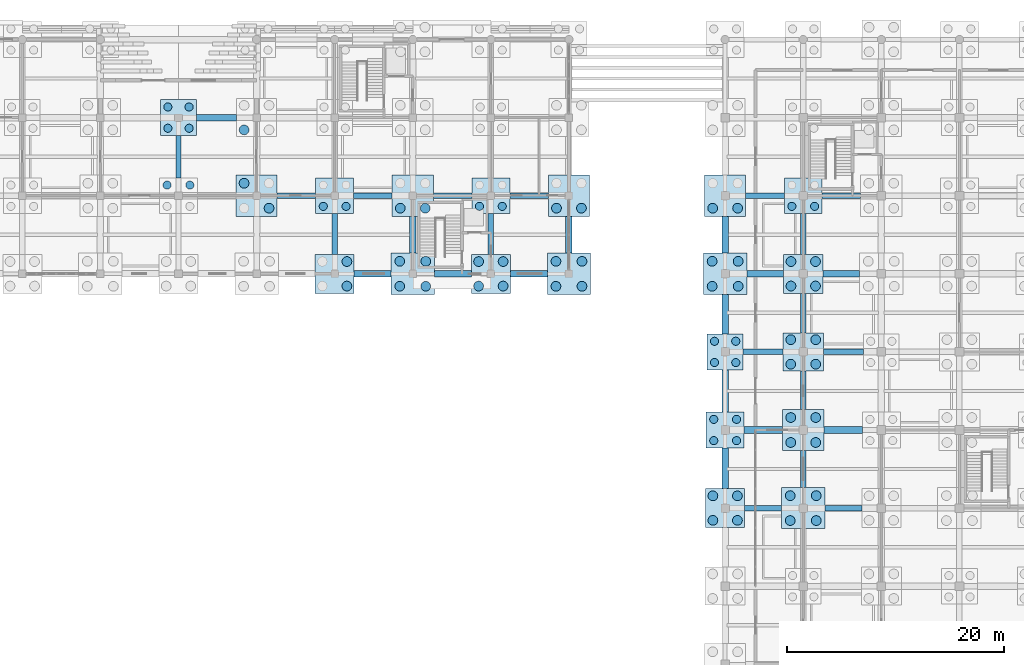
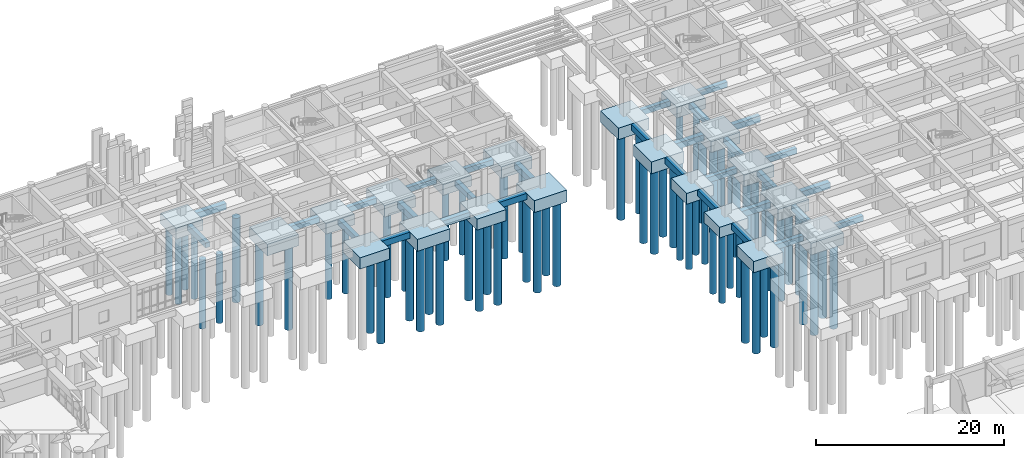
# One storey, part 10 of 79: 67 piles, 51 footings.
"""IFC4 building model written with IfcOpenShell, lengths in metres."""

import ifcopenshell
import ifcopenshell.guid

model = None  # the IFC model being written
_history = None  # IfcOwnerHistory: only IFC2X3 demands one
_inside = {}  # id of a spatial element -> (the spatial element, [elements in it])
_under = {}  # id of a project, library or spatial element -> (it, [spatial elements below it])
_declared = {}  # id of a project -> (the project, [libraries it declares])
_typed = {}  # id of a type object -> (the type object, [elements of that type])
_made_of = {}  # id of a material, layer set ... -> (it, [elements and type objects made of it])


def new_model(schema):
    """Start an empty IFC model of exactly this schema.

    Asked for "IFC4X3", IfcOpenShell would pick the latest addendum, in which some entities
    have other attributes; the version numbers below select the first issue.
    IFC2X3 requires an IfcOwnerHistory on every rooted entity: one is made here for all.
    """
    global model, _history
    if schema == "IFC4X3":
        model = ifcopenshell.file(schema_version=(4, 3, 0, 0))
    else:
        model = ifcopenshell.file(schema=schema)
    _inside.clear()
    _under.clear()
    _declared.clear()
    _typed.clear()
    _made_of.clear()
    _history = None
    if model.schema == "IFC2X3":
        org = make("IfcOrganization", Name="unknown")
        user = make(
            "IfcPersonAndOrganization",
            ThePerson=make("IfcPerson", FamilyName="unknown"),
            TheOrganization=org,
        )
        app = make(
            "IfcApplication",
            ApplicationDeveloper=org,
            Version="unknown",
            ApplicationFullName="unknown",
            ApplicationIdentifier="unknown",
        )
        _history = make(
            "IfcOwnerHistory",
            OwningUser=user,
            OwningApplication=app,
            ChangeAction="ADDED",
            CreationDate=0,
        )
    return model


def make(cls, **values):
    """One entity of the class cls with the attributes given. An attribute that is None is left unset."""
    return model.create_entity(
        cls, **{name: value for name, value in values.items() if value is not None}
    )


def rooted(cls, **values):
    """An entity with a GlobalId (a new one), such as an element, a storey or a relation."""
    return make(cls, GlobalId=ifcopenshell.guid.new(), OwnerHistory=_history, **values)


def si_unit(unit_type, name, prefix=None):
    """IfcSIUnit, for example si_unit("LENGTHUNIT", "METRE", prefix="MILLI")."""
    return make("IfcSIUnit", UnitType=unit_type, Prefix=prefix, Name=name)


def assignment(units):
    """IfcUnitAssignment: the units of a project."""
    return None if units is None else make("IfcUnitAssignment", Units=units)


def point(xyz):
    """IfcCartesianPoint."""
    return None if xyz is None else make("IfcCartesianPoint", Coordinates=xyz)


def direction(xyz):
    """IfcDirection."""
    return None if xyz is None else make("IfcDirection", DirectionRatios=xyz)


def frame(location, z_axis=None, x_axis=None):
    """IfcAxis2Placement3D, a coordinate frame: its origin and axes. An axis left out is left unset."""
    return make(
        "IfcAxis2Placement3D",
        Location=point(location),
        Axis=direction(z_axis),
        RefDirection=direction(x_axis),
    )


def frame_2d(location, x_axis=None):
    """IfcAxis2Placement2D, a coordinate frame in the plane: its origin and x axis."""
    return make(
        "IfcAxis2Placement2D", Location=point(location), RefDirection=direction(x_axis)
    )


def origin():
    """The frame at (0, 0, 0) with its axes left unset."""
    return frame((0.0, 0.0, 0.0))


def origin_2d():
    """The frame at (0, 0) in the plane with its x axis left unset."""
    return frame_2d((0.0, 0.0))


def place(relative_to, where):
    """IfcLocalPlacement: puts the frame where relative to a parent placement (None: the world)."""
    return make(
        "IfcLocalPlacement", PlacementRelTo=relative_to, RelativePlacement=where
    )


def context(
    kind, dimensions, precision=None, world=None, true_north=None, identifier=None
):
    """IfcGeometricRepresentationContext, for example the 3D "Model" context."""
    return make(
        "IfcGeometricRepresentationContext",
        ContextIdentifier=identifier,
        ContextType=kind,
        CoordinateSpaceDimension=dimensions,
        Precision=precision,
        WorldCoordinateSystem=world,
        TrueNorth=true_north,
    )


def subcontext(parent, identifier, kind, view, scale=None):
    """IfcGeometricRepresentationSubContext, for example "Body" below "Model"."""
    return make(
        "IfcGeometricRepresentationSubContext",
        ContextIdentifier=identifier,
        ContextType=kind,
        ParentContext=parent,
        TargetScale=scale,
        TargetView=view,
    )


def project(units=None, contexts=None):
    """IfcProject with its units and contexts."""
    return rooted(
        "IfcProject",
        Name="project",
        RepresentationContexts=contexts,
        UnitsInContext=assignment(units),
    )


def spatial(cls, under=None, at=None, **own):
    """A site, building, storey or space (cls), placed at a placement, below another one or the project."""
    s = rooted(cls, ObjectPlacement=at, **own)
    if under is not None:
        _under.setdefault(under.id(), (under, []))[1].append(s)
    return s


def polyline(points):
    """IfcPolyline through the points."""
    return make("IfcPolyline", Points=[point(p) for p in points])


def profile(cls, at=None, kind="AREA", **sizes):
    """A parametric profile (cls). Its sizes go by their IFC names, for example OverallWidth=200.0."""
    return make(cls, ProfileType=kind, Position=at, **sizes)


def rectangle(**sizes):
    """IfcRectangleProfileDef."""
    return profile("IfcRectangleProfileDef", **sizes)


def circle(**sizes):
    """IfcCircleProfileDef."""
    return profile("IfcCircleProfileDef", **sizes)


def outline(outer, holes=None, kind="AREA"):
    """IfcArbitraryClosedProfileDef: a profile drawn as a closed curve; with holes, ...WithVoids."""
    if holes is None:
        return make("IfcArbitraryClosedProfileDef", ProfileType=kind, OuterCurve=outer)
    return make(
        "IfcArbitraryProfileDefWithVoids",
        ProfileType=kind,
        OuterCurve=outer,
        InnerCurves=holes,
    )


def extrude(swept, where, along, depth):
    """IfcExtrudedAreaSolid: the profile swept, set in the frame where, extruded along a direction by depth."""
    return make(
        "IfcExtrudedAreaSolid",
        SweptArea=swept,
        Position=where,
        ExtrudedDirection=direction(along),
        Depth=depth,
    )


def shape(context_of_items, identifier, shape_type, items):
    """IfcShapeRepresentation: the items that make up one representation, for example the "Body"."""
    return make(
        "IfcShapeRepresentation",
        ContextOfItems=context_of_items,
        RepresentationIdentifier=identifier,
        RepresentationType=shape_type,
        Items=items,
    )


def material(Name=None, Category=None):
    """IfcMaterial."""
    return make("IfcMaterial", Name=Name, Category=Category)


def material_profile(
    of_material, cross_section, Name=None, Category=None, Priority=None
):
    """IfcMaterialProfile: a cross section and its material."""
    return make(
        "IfcMaterialProfile",
        Name=Name,
        Material=of_material,
        Profile=cross_section,
        Priority=Priority,
        Category=Category,
    )


def profile_set(profiles, Name=None, composite=None):
    """IfcMaterialProfileSet."""
    return make(
        "IfcMaterialProfileSet",
        Name=Name,
        MaterialProfiles=profiles,
        CompositeProfile=composite,
    )


def made_of(thing, what):
    """Note that an element or type object is made of a material, layer set ...; save() writes the relation."""
    if what is not None:
        _made_of.setdefault(what.id(), (what, []))[1].append(thing)
    return thing


def type_object(cls, material=None, **own):
    """A type object (cls), such as IfcWallType, which elements share."""
    return made_of(rooted(cls, **own), material)


def element(
    cls,
    number,
    at=None,
    inside=None,
    cuts=None,
    type_object=None,
    material=None,
    context=None,
    identifier="Body",
    shape_type=None,
    held_by="IfcProductDefinitionShape",
    body=None,
    shapes=None,
    **own,
):
    """One element of the class cls, such as IfcWall. Its Tag is "e" and its number.

    at: its placement. inside: the storey or other place that contains it. cuts: it is an
    opening in that element (IfcRelVoidsElement). A single representation is given by context,
    identifier, shape_type and body (its items); several are given by shapes. held_by: the class
    of the entity that holds the representations. save() writes the other relations.
    """
    e = rooted(cls, Tag="e%d" % number, ObjectPlacement=at, **own)
    if body is not None:
        shapes = [shape(context, identifier, shape_type, body)]
    if shapes is not None:
        e.Representation = make(held_by, Representations=shapes)
    if inside is not None:
        _inside.setdefault(inside.id(), (inside, []))[1].append(e)
    if cuts is not None:
        rooted(
            "IfcRelVoidsElement", RelatingBuildingElement=cuts, RelatedOpeningElement=e
        )
    if type_object is not None:
        _typed.setdefault(type_object.id(), (type_object, []))[1].append(e)
    return made_of(e, material)


def aggregate(whole, parts):
    """IfcRelAggregates: a whole, such as a stair, and the parts it consists of."""
    return rooted("IfcRelAggregates", RelatingObject=whole, RelatedObjects=parts)


def save(model, path):
    """Write the relations noted so far, then the file.

    IfcRelAggregates (storeys below a building ...), IfcRelContainedInSpatialStructure (elements
    in a storey), IfcRelDefinesByType, IfcRelAssociatesMaterial and IfcRelDeclares: one each for
    every whole, place, type object, material and project.
    """
    for whole, parts in _under.values():
        aggregate(whole, parts)
    for where, things in _inside.values():
        rooted(
            "IfcRelContainedInSpatialStructure",
            RelatedElements=things,
            RelatingStructure=where,
        )
    for kind, things in _typed.values():
        rooted("IfcRelDefinesByType", RelatedObjects=things, RelatingType=kind)
    for what, things in _made_of.values():
        rooted("IfcRelAssociatesMaterial", RelatedObjects=things, RelatingMaterial=what)
    for by, libraries in _declared.values():
        rooted("IfcRelDeclares", RelatingContext=by, RelatedDefinitions=libraries)
    model.write(path)


model = new_model("IFC4")

# Units and contexts
model_context = context("Model", 3, precision=1e-05, world=origin(), true_north=direction((0.0, 1.0)))
body_context = subcontext(model_context, "Body", "Model", "MODEL_VIEW")
ifc_project = project(units=[si_unit("LENGTHUNIT", "METRE"), si_unit("AREAUNIT", "SQUARE_METRE"), si_unit("VOLUMEUNIT", "CUBIC_METRE"), si_unit("PLANEANGLEUNIT", "RADIAN"), si_unit("MASSUNIT", "GRAM", prefix="KILO")], contexts=[model_context])

# Site, building, storey
site_placement = place(None, origin())
site = spatial("IfcSite", under=ifc_project, at=site_placement, CompositionType="ELEMENT")
building_placement = place(site_placement, origin())
building = spatial("IfcBuilding", under=site, at=building_placement, Name="Kavelor Marine Aquarium", CompositionType="ELEMENT")
storey_placement = place(building_placement, origin())
storey = spatial("IfcBuildingStorey", under=building, at=storey_placement, Name="L00", CompositionType="ELEMENT", Elevation=0.0)

# Footings
ifc_material_1 = material(Name="Concrete C40/50", Category="concrete")
footing_type_1 = type_object("IfcFootingType", Name="CAP-PC03", PredefinedType="PILE_CAP", material=ifc_material_1)
footing_1_placement = place(storey_placement, frame((0.0, 0.0, -1.89990234375)))
element("IfcFooting", 1, at=footing_1_placement, inside=storey, type_object=footing_type_1, Name="Pile Cap PC03 (13-M)", PredefinedType="PILE_CAP", context=body_context, shape_type="SweptSolid", body=[
    extrude(outline(polyline([(87.60009765625, 87.300048828125), (91.60009765625, 87.300048828125), (91.60009765625, 91.10009765625), (87.60009765625, 91.10009765625), (87.60009765625, 87.300048828125)])), origin(), (0.0, 0.0, 1.0), 1.5498046875),
])
footing_2_placement = place(storey_placement, frame((0.0, 0.0, -1.89990234375)))
element("IfcFooting", 2, at=footing_2_placement, inside=storey, type_object=footing_type_1, Name="Pile Cap PC03 (15-M)", PredefinedType="PILE_CAP", context=body_context, shape_type="SweptSolid", body=[
    extrude(outline(polyline([(102.0, 87.300048828125), (106.0, 87.300048828125), (106.0, 91.10009765625), (102.0, 91.10009765625), (102.0, 87.300048828125)])), origin(), (0.0, 0.0, 1.0), 1.5498046875),
])
footing_3_placement = place(storey_placement, frame((0.0, 0.0, -1.89990234375)))
element("IfcFooting", 3, at=footing_3_placement, inside=storey, type_object=footing_type_1, Name="Pile Cap PC03 (17-M)", PredefinedType="PILE_CAP", context=body_context, shape_type="SweptSolid", body=[
    extrude(outline(polyline([(116.39990234375, 87.300048828125), (120.39990234375, 87.300048828125), (120.39990234375, 91.10009765625), (116.39990234375, 91.10009765625), (116.39990234375, 87.300048828125)])), origin(), (0.0, 0.0, 1.0), 1.5498046875),
])
footing_4_placement = place(storey_placement, frame((0.0, 0.0, -1.89990234375)))
element("IfcFooting", 4, at=footing_4_placement, inside=storey, type_object=footing_type_1, Name="Pile Cap PC03 (18-J)", PredefinedType="PILE_CAP", context=body_context, shape_type="SweptSolid", body=[
    extrude(outline(polyline([(123.60009765625, 65.699951171875), (127.60009765625, 65.699951171875), (127.60009765625, 69.5), (123.60009765625, 69.5), (123.60009765625, 65.699951171875)])), origin(), (0.0, 0.0, 1.0), 1.5498046875),
])
ifc_material_2 = material(Name="Concrete C40/50", Category="concrete")
footing_type_2 = type_object("IfcFootingType", Name="CAP-PC04", PredefinedType="PILE_CAP", material=ifc_material_2)
footing_5_placement = place(storey_placement, frame((0.0, 0.0, -1.85009765625)))
element("IfcFooting", 5, at=footing_5_placement, inside=storey, type_object=footing_type_2, Name="Pile Cap PC04 (11-N)", PredefinedType="PILE_CAP", context=body_context, shape_type="SweptSolid", body=[
    extrude(outline(polyline([(73.300048828125, 94.5), (77.10009765625, 94.5), (77.10009765625, 98.300048828125), (73.300048828125, 98.300048828125), (73.300048828125, 94.5)])), origin(), (0.0, 0.0, 1.0), 1.5),
])
footing_6_placement = place(storey_placement, frame((0.0, 0.0, -1.85009765625)))
element("IfcFooting", 6, at=footing_6_placement, inside=storey, type_object=footing_type_2, Name="Pile Cap PC04 (13-N)", PredefinedType="PILE_CAP", context=body_context, shape_type="SweptSolid", body=[
    extrude(outline(polyline([(87.699951171875, 94.5), (91.5, 94.5), (91.5, 98.300048828125), (87.699951171875, 98.300048828125), (87.699951171875, 94.5)])), origin(), (0.0, 0.0, 1.0), 1.5),
])
footing_7_placement = place(storey_placement, frame((0.0, 0.0, -1.85009765625)))
element("IfcFooting", 7, at=footing_7_placement, inside=storey, type_object=footing_type_2, Name="Pile Cap PC04 (15-N)", PredefinedType="PILE_CAP", context=body_context, shape_type="SweptSolid", body=[
    extrude(outline(polyline([(102.10009765625, 94.5), (105.89990234375, 94.5), (105.89990234375, 98.300048828125), (102.10009765625, 98.300048828125), (102.10009765625, 94.5)])), origin(), (0.0, 0.0, 1.0), 1.5),
])
footing_8_placement = place(storey_placement, frame((0.0, 0.0, -1.85009765625)))
element("IfcFooting", 8, at=footing_8_placement, inside=storey, type_object=footing_type_2, Name="Pile Cap PC04 (17-N)", PredefinedType="PILE_CAP", context=body_context, shape_type="SweptSolid", body=[
    extrude(outline(polyline([(116.5, 94.5), (120.300048828125, 94.5), (120.300048828125, 98.300048828125), (116.5, 98.300048828125), (116.5, 94.5)])), origin(), (0.0, 0.0, 1.0), 1.5),
])
footing_9_placement = place(storey_placement, frame((0.0, 0.0, -1.85009765625)))
element("IfcFooting", 9, at=footing_9_placement, inside=storey, type_object=footing_type_2, Name="Pile Cap PC04 (18-K)", PredefinedType="PILE_CAP", context=body_context, shape_type="SweptSolid", body=[
    extrude(outline(polyline([(123.699951171875, 72.89990234375), (127.5, 72.89990234375), (127.5, 76.699951171875), (123.699951171875, 76.699951171875), (123.699951171875, 72.89990234375)])), origin(), (0.0, 0.0, 1.0), 1.5),
])
ifc_material_3 = material(Name="Concrete C40/50", Category="concrete")
footing_type_3 = type_object("IfcFootingType", Name="CAP-PC05", PredefinedType="PILE_CAP", material=ifc_material_3)
footing_10_placement = place(storey_placement, frame((0.0, 0.0, -1.85009765625)))
element("IfcFooting", 10, at=footing_10_placement, inside=storey, type_object=footing_type_3, Name="Pile Cap PC05 (18-L)", PredefinedType="PILE_CAP", context=body_context, shape_type="SweptSolid", body=[
    extrude(outline(polyline([(123.75, 80.25), (127.449951171875, 80.25), (127.449951171875, 83.75), (123.75, 83.75), (123.75, 80.25)])), origin(), (0.0, 0.0, 1.0), 1.5),
])
ifc_material_4 = material(Name="Concrete C40/50", Category="concrete")
footing_type_4 = type_object("IfcFootingType", Name="CAP-PC06", PredefinedType="PILE_CAP", material=ifc_material_4)
footing_11_placement = place(storey_placement, frame((0.0, 0.0, -1.800048828125)))
element("IfcFooting", 11, at=footing_11_placement, inside=storey, type_object=footing_type_4, Name="Pile Cap PC06 (12-M)", PredefinedType="PILE_CAP", context=body_context, shape_type="SweptSolid", body=[
    extrude(outline(polyline([(80.60009765625, 87.39990234375), (84.199951171875, 87.39990234375), (84.199951171875, 91.0), (80.60009765625, 91.0), (80.60009765625, 87.39990234375)])), origin(), (0.0, 0.0, 1.0), 1.449951171875),
])
footing_12_placement = place(storey_placement, frame((0.0, 0.0, -1.800048828125)))
element("IfcFooting", 12, at=footing_12_placement, inside=storey, type_object=footing_type_4, Name="Pile Cap PC06 (14-M)", PredefinedType="PILE_CAP", context=body_context, shape_type="SweptSolid", body=[
    extrude(outline(polyline([(95.0, 87.39990234375), (98.60009765625, 87.39990234375), (98.60009765625, 91.0), (95.0, 91.0), (95.0, 87.39990234375)])), origin(), (0.0, 0.0, 1.0), 1.449951171875),
])
footing_13_placement = place(storey_placement, frame((0.0, 0.0, -1.800048828125)))
element("IfcFooting", 13, at=footing_13_placement, inside=storey, type_object=footing_type_4, Name="Pile Cap PC06 (17-J)", PredefinedType="PILE_CAP", context=body_context, shape_type="SweptSolid", body=[
    extrude(outline(polyline([(116.60009765625, 65.800048828125), (120.199951171875, 65.800048828125), (120.199951171875, 69.39990234375), (116.60009765625, 69.39990234375), (116.60009765625, 65.800048828125)])), origin(), (0.0, 0.0, 1.0), 1.449951171875),
])
footing_14_placement = place(storey_placement, frame((0.0, 0.0, -1.800048828125)))
element("IfcFooting", 14, at=footing_14_placement, inside=storey, type_object=footing_type_4, Name="Pile Cap PC06 (18-M)", PredefinedType="PILE_CAP", context=body_context, shape_type="SweptSolid", body=[
    extrude(outline(polyline([(123.800048828125, 87.39990234375), (127.39990234375, 87.39990234375), (127.39990234375, 91.0), (123.800048828125, 91.0), (123.800048828125, 87.39990234375)])), origin(), (0.0, 0.0, 1.0), 1.449951171875),
])
ifc_material_5 = material(Name="Concrete C40/50", Category="concrete")
footing_type_5 = type_object("IfcFootingType", Name="CAP-PC07", PredefinedType="PILE_CAP", material=ifc_material_5)
footing_15_placement = place(storey_placement, frame((0.0, 0.0, -1.75)))
element("IfcFooting", 15, at=footing_15_placement, inside=storey, type_object=footing_type_5, Name="Pile Cap PC07 (12-N)", PredefinedType="PILE_CAP", context=body_context, shape_type="SweptSolid", body=[
    extrude(outline(polyline([(80.64990234375, 94.75), (84.14990234375, 94.75), (84.14990234375, 98.050048828125), (80.64990234375, 98.050048828125), (80.64990234375, 94.75)])), origin(), (0.0, 0.0, 1.0), 1.39990234375),
])
footing_16_placement = place(storey_placement, frame((0.0, 0.0, -1.75)))
element("IfcFooting", 16, at=footing_16_placement, inside=storey, type_object=footing_type_5, Name="Pile Cap PC07 (14-N)", PredefinedType="PILE_CAP", context=body_context, shape_type="SweptSolid", body=[
    extrude(outline(polyline([(95.050048828125, 94.75), (98.550048828125, 94.75), (98.550048828125, 98.050048828125), (95.050048828125, 98.050048828125), (95.050048828125, 94.75)])), origin(), (0.0, 0.0, 1.0), 1.39990234375),
])
footing_17_placement = place(storey_placement, frame((0.0, 0.0, -1.75)))
element("IfcFooting", 17, at=footing_17_placement, inside=storey, type_object=footing_type_5, Name="Pile Cap PC07 (17-K)", PredefinedType="PILE_CAP", context=body_context, shape_type="SweptSolid", body=[
    extrude(outline(polyline([(116.64990234375, 73.14990234375), (120.14990234375, 73.14990234375), (120.14990234375, 76.449951171875), (116.64990234375, 76.449951171875), (116.64990234375, 73.14990234375)])), origin(), (0.0, 0.0, 1.0), 1.39990234375),
])
footing_18_placement = place(storey_placement, frame((0.0, 0.0, -1.75)))
element("IfcFooting", 18, at=footing_18_placement, inside=storey, type_object=footing_type_5, Name="Pile Cap PC07 (18-N)", PredefinedType="PILE_CAP", context=body_context, shape_type="SweptSolid", body=[
    extrude(outline(polyline([(123.85009765625, 94.75), (127.35009765625, 94.75), (127.35009765625, 98.050048828125), (123.85009765625, 98.050048828125), (123.85009765625, 94.75)])), origin(), (0.0, 0.0, 1.0), 1.39990234375),
])
ifc_material_6 = material(Name="Concrete C40/50", Category="concrete")
footing_type_6 = type_object("IfcFootingType", Name="CAP-PC08", PredefinedType="PILE_CAP", material=ifc_material_6)
footing_19_placement = place(storey_placement, frame((0.0, 0.0, -1.75)))
element("IfcFooting", 19, at=footing_19_placement, inside=storey, type_object=footing_type_6, Name="Pile Cap PC08 (10-O)", PredefinedType="PILE_CAP", context=body_context, shape_type="SweptSolid", body=[
    extrude(outline(polyline([(66.35009765625, 101.949951171875), (69.64990234375, 101.949951171875), (69.64990234375, 105.25), (66.35009765625, 105.25), (66.35009765625, 101.949951171875)])), origin(), (0.0, 0.0, 1.0), 1.39990234375),
])
footing_20_placement = place(storey_placement, frame((0.0, 0.0, -1.75)))
element("IfcFooting", 20, at=footing_20_placement, inside=storey, type_object=footing_type_6, Name="Pile Cap PC08 (17-L)", PredefinedType="PILE_CAP", context=body_context, shape_type="SweptSolid", body=[
    extrude(outline(polyline([(116.75, 80.35009765625), (120.050048828125, 80.35009765625), (120.050048828125, 83.64990234375), (116.75, 83.64990234375), (116.75, 80.35009765625)])), origin(), (0.0, 0.0, 1.0), 1.39990234375),
])
ifc_material_7 = material(Name="Concrete C40/50", Category="concrete")
ifc_material_profile_1 = material_profile(ifc_material_7, rectangle(XDim=0.60009765625, YDim=0.800048828125, at=origin_2d()), Name="GB 600x800")
ifc_profile_set_1 = profile_set([ifc_material_profile_1], Name="Concrete C40/50")
footing_type_7 = type_object("IfcFootingType", Name="FTB-GB1", PredefinedType="FOOTING_BEAM", material=ifc_profile_set_1)
footing_21_placement = place(storey_placement, frame((69.64990234375, 103.60009765625, -0.75), z_axis=(1.0, 0.0, 0.0), x_axis=(0.0, 1.0, 0.0)))
element("IfcFooting", 21, at=footing_21_placement, inside=storey, type_object=footing_type_7, Name="ftb:x:09_14", PredefinedType="FOOTING_BEAM", context=body_context, shape_type="SweptSolid", body=[
    extrude(rectangle(XDim=0.60009765625, YDim=0.800048828125, at=origin_2d()), origin(), (0.0, 0.0, 1.0), 3.7001953125),
])
footing_22_placement = place(storey_placement, frame((84.199951171875, 89.199951171875, -0.75), z_axis=(1.0, 0.0, 0.0), x_axis=(0.0, 1.0, 0.0)))
element("IfcFooting", 22, at=footing_22_placement, inside=storey, type_object=footing_type_7, Name="ftb:x:11_12", PredefinedType="FOOTING_BEAM", context=body_context, shape_type="SweptSolid", body=[
    extrude(rectangle(XDim=0.60009765625, YDim=0.800048828125, at=origin_2d()), origin(), (0.0, 0.0, 1.0), 3.400146484375),
])
for number, where, z_axis, x_axis, name in (
    (23, (91.60009765625, 89.199951171875, -0.75), (1.0, 0.0, 0.0), (0.0, 1.0, 0.0), "ftb:x:12_12"),
    (24, (89.60009765625, 91.10009765625, -0.75), (0.0, 1.0, 0.0), (-1.0, 0.0, 0.0), "ftb:y:12_12"),
    (25, (98.60009765625, 89.199951171875, -0.75), (1.0, 0.0, 0.0), (0.0, 1.0, 0.0), "ftb:x:13_12"),
    (26, (104.0, 91.10009765625, -0.75), (0.0, 1.0, 0.0), (-1.0, 0.0, 0.0), "ftb:y:14_12"),
):
    element("IfcFooting", number, at=place(storey_placement, frame(where, z_axis=z_axis, x_axis=x_axis)), inside=storey, type_object=footing_type_7, Name=name, PredefinedType="FOOTING_BEAM", context=body_context, shape_type="SweptSolid", body=[
        extrude(rectangle(XDim=0.60009765625, YDim=0.800048828125, at=origin_2d()), origin(), (0.0, 0.0, 1.0), 3.39990234375),
    ])
footing_23_placement = place(storey_placement, frame((118.39990234375, 69.39990234375, -0.75), z_axis=(0.0, 1.0, 0.0), x_axis=(-1.0, 0.0, 0.0)))
element("IfcFooting", 27, at=footing_23_placement, inside=storey, type_object=footing_type_7, Name="ftb:y:16_09", PredefinedType="FOOTING_BEAM", context=body_context, shape_type="SweptSolid", body=[
    extrude(rectangle(XDim=0.60009765625, YDim=0.800048828125, at=origin_2d()), origin(), (0.0, 0.0, 1.0), 3.75),
])
footing_24_placement = place(storey_placement, frame((120.14990234375, 74.800048828125, -0.75), z_axis=(1.0, 0.0, 0.0), x_axis=(0.0, 1.0, 0.0)))
element("IfcFooting", 28, at=footing_24_placement, inside=storey, type_object=footing_type_7, Name="ftb:x:16_10", PredefinedType="FOOTING_BEAM", context=body_context, shape_type="SweptSolid", body=[
    extrude(rectangle(XDim=0.60009765625, YDim=0.800048828125, at=origin_2d()), origin(), (0.0, 0.0, 1.0), 3.550048828125),
])
footing_25_placement = place(storey_placement, frame((118.39990234375, 76.449951171875, -0.75), z_axis=(0.0, 1.0, 0.0), x_axis=(-1.0, 0.0, 0.0)))
element("IfcFooting", 29, at=footing_25_placement, inside=storey, type_object=footing_type_7, Name="ftb:y:16_10", PredefinedType="FOOTING_BEAM", context=body_context, shape_type="SweptSolid", body=[
    extrude(rectangle(XDim=0.60009765625, YDim=0.800048828125, at=origin_2d()), origin(), (0.0, 0.0, 1.0), 3.900146484375),
])
footing_26_placement = place(storey_placement, frame((118.39990234375, 83.64990234375, -0.75), z_axis=(0.0, 1.0, 0.0), x_axis=(-1.0, 0.0, 0.0)))
element("IfcFooting", 30, at=footing_26_placement, inside=storey, type_object=footing_type_7, Name="ftb:y:16_11", PredefinedType="FOOTING_BEAM", context=body_context, shape_type="SweptSolid", body=[
    extrude(rectangle(XDim=0.60009765625, YDim=0.800048828125, at=origin_2d()), origin(), (0.0, 0.0, 1.0), 3.650146484375),
])
footing_27_placement = place(storey_placement, frame((120.39990234375, 89.199951171875, -0.75), z_axis=(1.0, 0.0, 0.0), x_axis=(0.0, 1.0, 0.0)))
element("IfcFooting", 31, at=footing_27_placement, inside=storey, type_object=footing_type_7, Name="ftb:x:16_12", PredefinedType="FOOTING_BEAM", context=body_context, shape_type="SweptSolid", body=[
    extrude(rectangle(XDim=0.60009765625, YDim=0.800048828125, at=origin_2d()), origin(), (0.0, 0.0, 1.0), 3.400146484375),
])
footing_28_placement = place(storey_placement, frame((118.39990234375, 91.10009765625, -0.75), z_axis=(0.0, 1.0, 0.0), x_axis=(-1.0, 0.0, 0.0)))
element("IfcFooting", 32, at=footing_28_placement, inside=storey, type_object=footing_type_7, Name="ftb:y:16_12", PredefinedType="FOOTING_BEAM", context=body_context, shape_type="SweptSolid", body=[
    extrude(rectangle(XDim=0.60009765625, YDim=0.800048828125, at=origin_2d()), origin(), (0.0, 0.0, 1.0), 3.39990234375),
])
footing_29_placement = place(storey_placement, frame((127.5, 74.800048828125, -0.75), z_axis=(1.0, 0.0, 0.0), x_axis=(0.0, 1.0, 0.0)))
element("IfcFooting", 33, at=footing_29_placement, inside=storey, type_object=footing_type_7, Name="ftb:x:17_10", PredefinedType="FOOTING_BEAM", context=body_context, shape_type="SweptSolid", body=[
    extrude(rectangle(XDim=0.60009765625, YDim=0.800048828125, at=origin_2d()), origin(), (0.0, 0.0, 1.0), 3.550048828125),
])
footing_30_placement = place(storey_placement, frame((127.39990234375, 89.199951171875, -0.75), z_axis=(1.0, 0.0, 0.0), x_axis=(0.0, 1.0, 0.0)))
element("IfcFooting", 34, at=footing_30_placement, inside=storey, type_object=footing_type_7, Name="ftb:x:17_12", PredefinedType="FOOTING_BEAM", context=body_context, shape_type="SweptSolid", body=[
    extrude(rectangle(XDim=0.60009765625, YDim=0.800048828125, at=origin_2d()), origin(), (0.0, 0.0, 1.0), 3.400146484375),
])
ifc_material_8 = material(Name="Concrete C40/50", Category="concrete")
ifc_material_profile_2 = material_profile(ifc_material_8, rectangle(XDim=0.5, YDim=0.699951171875, at=origin_2d()), Name="GB 500x700")
ifc_profile_set_2 = profile_set([ifc_material_profile_2], Name="Concrete C40/50")
footing_type_8 = type_object("IfcFootingType", Name="FTB-GB2", PredefinedType="FOOTING_BEAM", material=ifc_profile_set_2)
footing_31_placement = place(storey_placement, frame((68.0, 98.050048828125, -0.699951171875), z_axis=(0.0, 1.0, 0.0), x_axis=(-1.0, 0.0, 0.0)))
element("IfcFooting", 35, at=footing_31_placement, inside=storey, type_object=footing_type_8, Name="ftb:y:09_13", PredefinedType="FOOTING_BEAM", context=body_context, shape_type="SweptSolid", body=[
    extrude(rectangle(XDim=0.5, YDim=0.699951171875, at=origin_2d()), origin(), (0.0, 0.0, 1.0), 3.89990234375),
])
footing_32_placement = place(storey_placement, frame((77.10009765625, 96.39990234375, -0.699951171875), z_axis=(1.0, 0.0, 0.0), x_axis=(0.0, 1.0, 0.0)))
element("IfcFooting", 36, at=footing_32_placement, inside=storey, type_object=footing_type_8, Name="ftb:x:10_13", PredefinedType="FOOTING_BEAM", context=body_context, shape_type="SweptSolid", body=[
    extrude(rectangle(XDim=0.5, YDim=0.699951171875, at=origin_2d()), origin(), (0.0, 0.0, 1.0), 3.5498046875),
])
footing_33_placement = place(storey_placement, frame((82.39990234375, 91.0, -0.699951171875), z_axis=(0.0, 1.0, 0.0), x_axis=(-1.0, 0.0, 0.0)))
element("IfcFooting", 37, at=footing_33_placement, inside=storey, type_object=footing_type_8, Name="ftb:y:11_12", PredefinedType="FOOTING_BEAM", context=body_context, shape_type="SweptSolid", body=[
    extrude(rectangle(XDim=0.5, YDim=0.699951171875, at=origin_2d()), origin(), (0.0, 0.0, 1.0), 3.75),
])
for number, where, z_axis, x_axis, name in (
    (38, (84.14990234375, 96.39990234375, -0.699951171875), (1.0, 0.0, 0.0), (0.0, 1.0, 0.0), "ftb:x:11_13"),
    (39, (91.5, 96.39990234375, -0.699951171875), (1.0, 0.0, 0.0), (0.0, 1.0, 0.0), "ftb:x:12_13"),
):
    element("IfcFooting", number, at=place(storey_placement, frame(where, z_axis=z_axis, x_axis=x_axis)), inside=storey, type_object=footing_type_8, Name=name, PredefinedType="FOOTING_BEAM", context=body_context, shape_type="SweptSolid", body=[
        extrude(rectangle(XDim=0.5, YDim=0.699951171875, at=origin_2d()), origin(), (0.0, 0.0, 1.0), 3.550048828125),
    ])
footing_34_placement = place(storey_placement, frame((96.800048828125, 91.0, -0.699951171875), z_axis=(0.0, 1.0, 0.0), x_axis=(-1.0, 0.0, 0.0)))
element("IfcFooting", 40, at=footing_34_placement, inside=storey, type_object=footing_type_8, Name="ftb:y:13_12", PredefinedType="FOOTING_BEAM", context=body_context, shape_type="SweptSolid", body=[
    extrude(rectangle(XDim=0.5, YDim=0.699951171875, at=origin_2d()), origin(), (0.0, 0.0, 1.0), 3.75),
])
footing_35_placement = place(storey_placement, frame((98.550048828125, 96.39990234375, -0.699951171875), z_axis=(1.0, 0.0, 0.0), x_axis=(0.0, 1.0, 0.0)))
element("IfcFooting", 41, at=footing_35_placement, inside=storey, type_object=footing_type_8, Name="ftb:x:13_13", PredefinedType="FOOTING_BEAM", context=body_context, shape_type="SweptSolid", body=[
    extrude(rectangle(XDim=0.5, YDim=0.699951171875, at=origin_2d()), origin(), (0.0, 0.0, 1.0), 3.550048828125),
])
footing_36_placement = place(storey_placement, frame((120.199951171875, 67.60009765625, -0.699951171875), z_axis=(1.0, 0.0, 0.0), x_axis=(0.0, 1.0, 0.0)))
element("IfcFooting", 42, at=footing_36_placement, inside=storey, type_object=footing_type_8, Name="ftb:x:16_09", PredefinedType="FOOTING_BEAM", context=body_context, shape_type="SweptSolid", body=[
    extrude(rectangle(XDim=0.5, YDim=0.699951171875, at=origin_2d()), origin(), (0.0, 0.0, 1.0), 3.400146484375),
])
footing_37_placement = place(storey_placement, frame((120.050048828125, 82.0, -0.699951171875), z_axis=(1.0, 0.0, 0.0), x_axis=(0.0, 1.0, 0.0)))
element("IfcFooting", 43, at=footing_37_placement, inside=storey, type_object=footing_type_8, Name="ftb:x:16_11", PredefinedType="FOOTING_BEAM", context=body_context, shape_type="SweptSolid", body=[
    extrude(rectangle(XDim=0.5, YDim=0.699951171875, at=origin_2d()), origin(), (0.0, 0.0, 1.0), 3.699951171875),
])
footing_38_placement = place(storey_placement, frame((120.300048828125, 96.39990234375, -0.699951171875), z_axis=(1.0, 0.0, 0.0), x_axis=(0.0, 1.0, 0.0)))
element("IfcFooting", 44, at=footing_38_placement, inside=storey, type_object=footing_type_8, Name="ftb:x:16_13", PredefinedType="FOOTING_BEAM", context=body_context, shape_type="SweptSolid", body=[
    extrude(rectangle(XDim=0.5, YDim=0.699951171875, at=origin_2d()), origin(), (0.0, 0.0, 1.0), 3.550048828125),
])
for number, where, z_axis, x_axis, name in (
    (45, (127.60009765625, 67.60009765625, -0.699951171875), (1.0, 0.0, 0.0), (0.0, 1.0, 0.0), "ftb:x:17_09"),
    (46, (125.60009765625, 69.5, -0.699951171875), (0.0, 1.0, 0.0), (-1.0, 0.0, 0.0), "ftb:y:17_09"),
):
    element("IfcFooting", number, at=place(storey_placement, frame(where, z_axis=z_axis, x_axis=x_axis)), inside=storey, type_object=footing_type_8, Name=name, PredefinedType="FOOTING_BEAM", context=body_context, shape_type="SweptSolid", body=[
        extrude(rectangle(XDim=0.5, YDim=0.699951171875, at=origin_2d()), origin(), (0.0, 0.0, 1.0), 3.39990234375),
    ])
footing_39_placement = place(storey_placement, frame((125.60009765625, 76.699951171875, -0.699951171875), z_axis=(0.0, 1.0, 0.0), x_axis=(-1.0, 0.0, 0.0)))
element("IfcFooting", 47, at=footing_39_placement, inside=storey, type_object=footing_type_8, Name="ftb:y:17_10", PredefinedType="FOOTING_BEAM", context=body_context, shape_type="SweptSolid", body=[
    extrude(rectangle(XDim=0.5, YDim=0.699951171875, at=origin_2d()), origin(), (0.0, 0.0, 1.0), 3.550048828125),
])
footing_40_placement = place(storey_placement, frame((127.449951171875, 82.0, -0.699951171875), z_axis=(1.0, 0.0, 0.0), x_axis=(0.0, 1.0, 0.0)))
element("IfcFooting", 48, at=footing_40_placement, inside=storey, type_object=footing_type_8, Name="ftb:x:17_11", PredefinedType="FOOTING_BEAM", context=body_context, shape_type="SweptSolid", body=[
    extrude(rectangle(XDim=0.5, YDim=0.699951171875, at=origin_2d()), origin(), (0.0, 0.0, 1.0), 3.699951171875),
])
footing_41_placement = place(storey_placement, frame((125.60009765625, 83.75, -0.699951171875), z_axis=(0.0, 1.0, 0.0), x_axis=(-1.0, 0.0, 0.0)))
element("IfcFooting", 49, at=footing_41_placement, inside=storey, type_object=footing_type_8, Name="ftb:y:17_11", PredefinedType="FOOTING_BEAM", context=body_context, shape_type="SweptSolid", body=[
    extrude(rectangle(XDim=0.5, YDim=0.699951171875, at=origin_2d()), origin(), (0.0, 0.0, 1.0), 3.64990234375),
])
footing_42_placement = place(storey_placement, frame((125.60009765625, 91.0, -0.699951171875), z_axis=(0.0, 1.0, 0.0), x_axis=(-1.0, 0.0, 0.0)))
element("IfcFooting", 50, at=footing_42_placement, inside=storey, type_object=footing_type_8, Name="ftb:y:17_12", PredefinedType="FOOTING_BEAM", context=body_context, shape_type="SweptSolid", body=[
    extrude(rectangle(XDim=0.5, YDim=0.699951171875, at=origin_2d()), origin(), (0.0, 0.0, 1.0), 3.75),
])
footing_43_placement = place(storey_placement, frame((127.35009765625, 96.39990234375, -0.699951171875), z_axis=(1.0, 0.0, 0.0), x_axis=(0.0, 1.0, 0.0)))
element("IfcFooting", 51, at=footing_43_placement, inside=storey, type_object=footing_type_8, Name="ftb:x:17_13", PredefinedType="FOOTING_BEAM", context=body_context, shape_type="SweptSolid", body=[
    extrude(rectangle(XDim=0.5, YDim=0.699951171875, at=origin_2d()), origin(), (0.0, 0.0, 1.0), 3.5498046875),
])

# Piles
ifc_material_9 = material(Name="Concrete C40/50", Category="concrete")
ifc_material_profile_3 = material_profile(ifc_material_9, circle(Radius=0.449951171875, at=origin_2d()), Name="PILE D900")
ifc_profile_set_3 = profile_set([ifc_material_profile_3], Name="Concrete C40/50")
pile_type_1 = type_object("IfcPileType", Name="PILE-P2", PredefinedType="BORED", material=ifc_profile_set_3)
for number, where, z_axis, x_axis, name in (
    (52, (76.35009765625, 95.25, -1.75), (0.0, 0.0, -1.0), (1.0, 0.0, 0.0), "Bored Pile P2 (11-N-2)"),
    (53, (74.050048828125, 97.550048828125, -1.75), (0.0, 0.0, -1.0), (1.0, 0.0, 0.0), "Bored Pile P2 (11-N-3)"),
    (54, (74.050048828125, 102.469970703125, -1.75), (0.0, 0.0, -1.0), (1.0, 0.0, 0.0), "Bored Pile P2 (11-O-1)"),
    (55, (83.530029296875, 88.070068359375, -1.699951171875), (0.0, 0.0, -1.0), (1.0, 0.0, 0.0), "Bored Pile P2 (12-M-2)"),
    (56, (83.530029296875, 90.330078125, -1.699951171875), (0.0, 0.0, -1.0), (1.0, 0.0, 0.0), "Bored Pile P2 (12-M-4)"),
    (57, (88.39990234375, 88.050048828125, -1.800048828125), (0.0, 0.0, -1.0), (1.0, 0.0, 0.0), "Bored Pile P2 (13-M-1)"),
    (58, (90.800048828125, 88.050048828125, -1.800048828125), (0.0, 0.0, -1.0), (1.0, 0.0, 0.0), "Bored Pile P2 (13-M-2)"),
    (59, (88.39990234375, 90.35009765625, -1.800048828125), (0.0, 0.0, -1.0), (1.0, 0.0, 0.0), "Bored Pile P2 (13-M-3)"),
    (60, (90.800048828125, 90.35009765625, -1.800048828125), (0.0, 0.0, -1.0), (1.0, 0.0, 0.0), "Bored Pile P2 (13-M-4)"),
    (61, (88.449951171875, 95.25, -1.75), (0.0, 0.0, -1.0), (1.0, 0.0, 0.0), "Bored Pile P2 (13-N-1)"),
    (62, (90.75, 95.25, -1.75), (0.0, 0.0, -1.0), (1.0, 0.0, 0.0), "Bored Pile P2 (13-N-2)"),
    (63, (95.669921875, 88.070068359375, -1.699951171875), (0.0, 0.0, -1.0), (1.0, 0.0, 0.0), "Bored Pile P2 (14-M-1)"),
    (64, (97.929931640625, 88.070068359375, -1.699951171875), (0.0, 0.0, -1.0), (1.0, 0.0, 0.0), "Bored Pile P2 (14-M-2)"),
    (65, (95.669921875, 90.330078125, -1.699951171875), (0.0, 0.0, -1.0), (1.0, 0.0, 0.0), "Bored Pile P2 (14-M-3)"),
    (66, (97.929931640625, 90.330078125, -1.699951171875), (0.0, 0.0, -1.0), (1.0, 0.0, 0.0), "Bored Pile P2 (14-M-4)"),
    (67, (102.800048828125, 88.050048828125, -1.800048828125), (0.0, 0.0, -1.0), (1.0, 0.0, 0.0), "Bored Pile P2 (15-M-1)"),
    (68, (105.199951171875, 88.050048828125, -1.800048828125), (0.0, 0.0, -1.0), (1.0, 0.0, 0.0), "Bored Pile P2 (15-M-2)"),
    (69, (102.800048828125, 90.35009765625, -1.800048828125), (0.0, 0.0, -1.0), (1.0, 0.0, 0.0), "Bored Pile P2 (15-M-3)"),
    (70, (105.199951171875, 90.35009765625, -1.800048828125), (0.0, 0.0, -1.0), (1.0, 0.0, 0.0), "Bored Pile P2 (15-M-4)"),
    (71, (102.85009765625, 95.25, -1.75), (0.0, 0.0, -1.0), (1.0, 0.0, 0.0), "Bored Pile P2 (15-N-1)"),
    (72, (105.14990234375, 95.25, -1.75), (0.0, 0.0, -1.0), (1.0, 0.0, 0.0), "Bored Pile P2 (15-N-2)"),
    (73, (117.27001953125, 66.469970703125, -1.699951171875), (0.0, 0.0, -1.0), (1.0, 0.0, 0.0), "Bored Pile P2 (17-J-1)"),
    (74, (119.530029296875, 66.469970703125, -1.699951171875), (0.0, 0.0, -1.0), (1.0, 0.0, 0.0), "Bored Pile P2 (17-J-2)"),
    (75, (117.27001953125, 68.72998046875, -1.699951171875), (0.0, 0.0, -1.0), (1.0, 0.0, 0.0), "Bored Pile P2 (17-J-3)"),
    (76, (119.530029296875, 68.72998046875, -1.699951171875), (0.0, 0.0, -1.0), (1.0, 0.0, 0.0), "Bored Pile P2 (17-J-4)"),
    (77, (117.199951171875, 88.050048828125, -1.800048828125), (0.0, 0.0, -1.0), (1.0, 0.0, 0.0), "Bored Pile P2 (17-M-1)"),
    (78, (119.60009765625, 88.050048828125, -1.800048828125), (0.0, 0.0, -1.0), (1.0, 0.0, 0.0), "Bored Pile P2 (17-M-2)"),
    (79, (117.199951171875, 90.35009765625, -1.800048828125), (0.0, 0.0, -1.0), (1.0, 0.0, 0.0), "Bored Pile P2 (17-M-3)"),
    (80, (119.60009765625, 90.35009765625, -1.800048828125), (0.0, 0.0, -1.0), (1.0, 0.0, 0.0), "Bored Pile P2 (17-M-4)"),
    (81, (117.25, 95.25, -1.75), (0.0, 0.0, -1.0), (1.0, 0.0, 0.0), "Bored Pile P2 (17-N-1)"),
    (82, (119.550048828125, 95.25, -1.75), (0.0, 0.0, -1.0), (1.0, 0.0, 0.0), "Bored Pile P2 (17-N-2)"),
    (83, (124.39990234375, 66.449951171875, -1.800048828125), (0.0, 0.0, -1.0), (1.0, 0.0, 0.0), "Bored Pile P2 (18-J-1)"),
    (84, (126.800048828125, 66.449951171875, -1.800048828125), (0.0, 0.0, -1.0), (1.0, 0.0, 0.0), "Bored Pile P2 (18-J-2)"),
    (85, (124.39990234375, 68.75, -1.800048828125), (0.0, 0.0, -1.0), (1.0, 0.0, 0.0), "Bored Pile P2 (18-J-3)"),
    (86, (126.800048828125, 68.75, -1.800048828125), (0.0, 0.0, -1.0), (1.0, 0.0, 0.0), "Bored Pile P2 (18-J-4)"),
    (87, (124.449951171875, 73.64990234375, -1.75), (0.0, 0.0, -1.0), (1.0, 0.0, 0.0), "Bored Pile P2 (18-K-1)"),
    (88, (126.75, 73.64990234375, -1.75), (0.0, 0.0, -1.0), (1.0, 0.0, 0.0), "Bored Pile P2 (18-K-2)"),
    (89, (124.449951171875, 75.949951171875, -1.75), (0.0, 0.0, -1.0), (1.0, 0.0, 0.0), "Bored Pile P2 (18-K-3)"),
    (90, (126.75, 75.949951171875, -1.75), (0.0, 0.0, -1.0), (1.0, 0.0, 0.0), "Bored Pile P2 (18-K-4)"),
    (91, (124.449951171875, 80.8701171875, -1.75), (0.0, 0.0, -1.0), (1.0, 0.0, 0.0), "Bored Pile P2 (18-L-1)"),
    (92, (126.75, 80.8701171875, -1.75), (0.0, 0.0, -1.0), (1.0, 0.0, 0.0), "Bored Pile P2 (18-L-2)"),
    (93, (124.449951171875, 83.1298828125, -1.75), (0.0, 0.0, -1.0), (1.0, 0.0, 0.0), "Bored Pile P2 (18-L-3)"),
    (94, (126.75, 83.1298828125, -1.75), (0.0, 0.0, -1.0), (1.0, 0.0, 0.0), "Bored Pile P2 (18-L-4)"),
    (95, (124.469970703125, 88.070068359375, -1.699951171875), (0.0, 0.0, -1.0), (1.0, 0.0, 0.0), "Bored Pile P2 (18-M-1)"),
    (96, (126.72998046875, 88.070068359375, -1.699951171875), (0.0, 0.0, -1.0), (1.0, 0.0, 0.0), "Bored Pile P2 (18-M-2)"),
    (97, (124.469970703125, 90.330078125, -1.699951171875), (0.0, 0.0, -1.0), (1.0, 0.0, 0.0), "Bored Pile P2 (18-M-3)"),
    (98, (126.72998046875, 90.330078125, -1.699951171875), (0.0, 0.0, -1.0), (1.0, 0.0, 0.0), "Bored Pile P2 (18-M-4)"),
):
    element("IfcPile", number, at=place(storey_placement, frame(where, z_axis=z_axis, x_axis=x_axis)), inside=storey, type_object=pile_type_1, Name=name, PredefinedType="BORED", context=body_context, shape_type="SweptSolid", body=[
        extrude(circle(Radius=0.449951171875, at=origin_2d()), origin(), (0.0, 0.0, 1.0), 11.0),
    ])
ifc_material_10 = material(Name="Concrete C40/50", Category="concrete")
ifc_material_profile_4 = material_profile(ifc_material_10, circle(Radius=0.375, at=origin_2d()), Name="PILE D750")
ifc_profile_set_4 = profile_set([ifc_material_profile_4], Name="Concrete C40/50")
pile_type_2 = type_object("IfcPileType", Name="PILE-P3", PredefinedType="BORED", material=ifc_profile_set_4)
for number, where, z_axis, x_axis, name in (
    (99, (66.949951171875, 97.3798828125, -1.64990234375), (0.0, 0.0, -1.0), (1.0, 0.0, 0.0), "Bored Pile P3 (10-N-3)"),
    (100, (69.050048828125, 97.3798828125, -1.64990234375), (0.0, 0.0, -1.0), (1.0, 0.0, 0.0), "Bored Pile P3 (10-N-4)"),
    (101, (67.02001953125, 102.6201171875, -1.64990234375), (0.0, 0.0, -1.0), (1.0, 0.0, 0.0), "Bored Pile P3 (10-O-1)"),
    (102, (68.97998046875, 102.6201171875, -1.64990234375), (0.0, 0.0, -1.0), (1.0, 0.0, 0.0), "Bored Pile P3 (10-O-2)"),
    (103, (67.02001953125, 104.580078125, -1.64990234375), (0.0, 0.0, -1.0), (1.0, 0.0, 0.0), "Bored Pile P3 (10-O-3)"),
    (104, (68.97998046875, 104.580078125, -1.64990234375), (0.0, 0.0, -1.0), (1.0, 0.0, 0.0), "Bored Pile P3 (10-O-4)"),
    (105, (81.35009765625, 95.419921875, -1.64990234375), (0.0, 0.0, -1.0), (1.0, 0.0, 0.0), "Bored Pile P3 (12-N-1)"),
    (106, (83.449951171875, 95.419921875, -1.64990234375), (0.0, 0.0, -1.0), (1.0, 0.0, 0.0), "Bored Pile P3 (12-N-2)"),
    (107, (95.75, 95.419921875, -1.64990234375), (0.0, 0.0, -1.0), (1.0, 0.0, 0.0), "Bored Pile P3 (14-N-1)"),
    (108, (97.85009765625, 95.419921875, -1.64990234375), (0.0, 0.0, -1.0), (1.0, 0.0, 0.0), "Bored Pile P3 (14-N-2)"),
    (109, (117.35009765625, 73.820068359375, -1.64990234375), (0.0, 0.0, -1.0), (1.0, 0.0, 0.0), "Bored Pile P3 (17-K-1)"),
    (110, (119.449951171875, 73.820068359375, -1.64990234375), (0.0, 0.0, -1.0), (1.0, 0.0, 0.0), "Bored Pile P3 (17-K-2)"),
    (111, (117.35009765625, 75.780029296875, -1.64990234375), (0.0, 0.0, -1.0), (1.0, 0.0, 0.0), "Bored Pile P3 (17-K-3)"),
    (112, (119.449951171875, 75.780029296875, -1.64990234375), (0.0, 0.0, -1.0), (1.0, 0.0, 0.0), "Bored Pile P3 (17-K-4)"),
    (113, (117.419921875, 81.02001953125, -1.64990234375), (0.0, 0.0, -1.0), (1.0, 0.0, 0.0), "Bored Pile P3 (17-L-1)"),
    (114, (119.3798828125, 81.02001953125, -1.64990234375), (0.0, 0.0, -1.0), (1.0, 0.0, 0.0), "Bored Pile P3 (17-L-2)"),
    (115, (117.419921875, 82.97998046875, -1.64990234375), (0.0, 0.0, -1.0), (1.0, 0.0, 0.0), "Bored Pile P3 (17-L-3)"),
    (116, (119.3798828125, 82.97998046875, -1.64990234375), (0.0, 0.0, -1.0), (1.0, 0.0, 0.0), "Bored Pile P3 (17-L-4)"),
    (117, (124.550048828125, 95.419921875, -1.64990234375), (0.0, 0.0, -1.0), (1.0, 0.0, 0.0), "Bored Pile P3 (18-N-1)"),
    (118, (126.64990234375, 95.419921875, -1.64990234375), (0.0, 0.0, -1.0), (1.0, 0.0, 0.0), "Bored Pile P3 (18-N-2)"),
):
    element("IfcPile", number, at=place(storey_placement, frame(where, z_axis=z_axis, x_axis=x_axis)), inside=storey, type_object=pile_type_2, Name=name, PredefinedType="BORED", context=body_context, shape_type="SweptSolid", body=[
        extrude(circle(Radius=0.375, at=origin_2d()), origin(), (0.0, 0.0, 1.0), 9.0),
    ])

save(model, "model.ifc")
